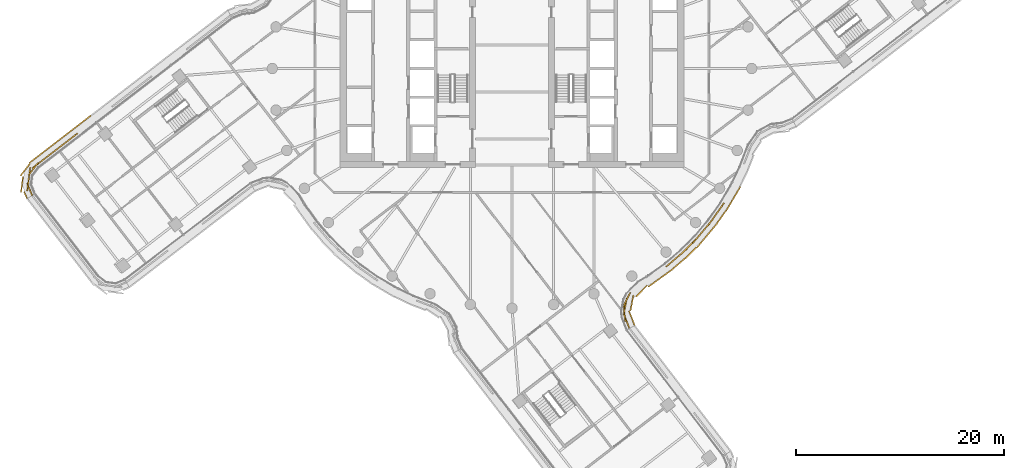
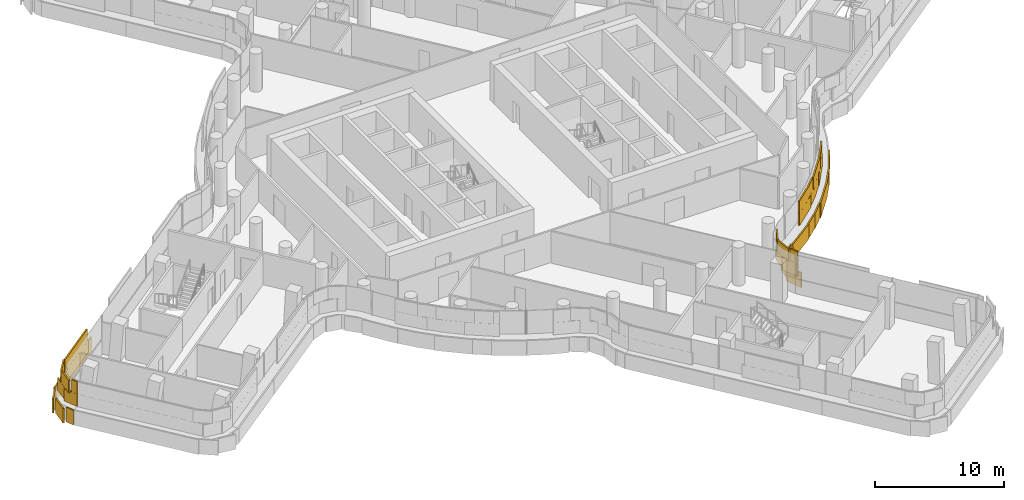
# One storey, part 28 of 33: 2 coverings.
"""IFC4 building model written with IfcOpenShell, lengths in metres."""

from ifc_helpers import new_model, si_unit, direction, frame, origin, origin_2d, place, context, subcontext, project, spatial, rectangle, extrude, material, layer, layer_set, type_object, element, save


model = new_model("IFC4")

# Units and contexts
model_context = context("Model", 3, precision=1e-05, world=origin(), true_north=direction((0.0, 1.0)))
body_context = subcontext(model_context, "Body", "Model", "MODEL_VIEW")
ifc_project = project(units=[si_unit("LENGTHUNIT", "METRE"), si_unit("AREAUNIT", "SQUARE_METRE"), si_unit("VOLUMEUNIT", "CUBIC_METRE"), si_unit("PLANEANGLEUNIT", "RADIAN"), si_unit("MASSUNIT", "GRAM", prefix="KILO")], contexts=[model_context])

# Site, building, storey
site_placement = place(None, origin())
site = spatial("IfcSite", under=ifc_project, at=site_placement, CompositionType="ELEMENT")
building_placement = place(site_placement, origin())
building = spatial("IfcBuilding", under=site, at=building_placement, Name="Tamarind Cross Interchange Tower", CompositionType="ELEMENT")
storey_placement = place(building_placement, frame((0.0, 0.0, 170.5)))
storey = spatial("IfcBuildingStorey", under=building, at=storey_placement, Name="L42", CompositionType="ELEMENT", Elevation=170.5)

# Coverings
ifc_material = material(Name="Terracotta", Category="masonry")
ifc_layer = layer(ifc_material, 0.1201171875)
ifc_layer_set = layer_set([ifc_layer], Name="Terracotta")
covering_type = type_object("IfcCoveringType", Name="Terracotta baguette screen unit", PredefinedType="MOLDING", material=ifc_layer_set)
covering_1_placement = place(storey_placement, origin())
element("IfcCovering", 1, at=covering_1_placement, inside=storey, type_object=covering_type, Name="SCR-L42-07-02", PredefinedType="MOLDING", context=body_context, shape_type="SweptSolid", body=[
    extrude(rectangle(XDim=0.958740234375, YDim=0.1201171875, at=origin_2d()), frame((-42.07421875, -6.51611328125, 1.404052734375), z_axis=(0.0, 0.0, 1.0), x_axis=(-0.792153315847, -0.610322147879, 0.0)), (0.0, 0.0, 1.0), 1.1669921875),
    extrude(rectangle(XDim=1.52001953125, YDim=0.1201171875, at=origin_2d()), frame((-43.044189453125, -7.263427734375, 1.404052734375), z_axis=(0.0, 0.0, 1.0), x_axis=(-0.792153315847, -0.610322147879, 0.0)), (0.0, 0.0, 1.0), 1.1669921875),
    extrude(rectangle(XDim=1.52001953125, YDim=0.1201171875, at=origin_2d()), frame((-44.232421875, -8.1787109375, 1.404052734375), z_axis=(0.0, 0.0, 1.0), x_axis=(-0.792153315847, -0.610322147879, 0.0)), (0.0, 0.0, 1.0), 1.1669921875),
    extrude(rectangle(XDim=1.52001953125, YDim=0.1201171875, at=origin_2d()), frame((-45.420654296875, -9.09423828125, 1.404052734375), z_axis=(0.0, 0.0, 1.0), x_axis=(-0.792153315847, -0.610322147879, 0.0)), (0.0, 0.0, 1.0), 1.1669921875),
    extrude(rectangle(XDim=1.52001953125, YDim=0.1201171875, at=origin_2d()), frame((-46.328857421875, -10.254150390625, 1.404052734375), z_axis=(0.0, 0.0, 1.0), x_axis=(-0.128574051901, -0.991699910849, 0.0)), (0.0, 0.0, 1.0), 1.1669921875),
    extrude(rectangle(XDim=1.29150390625, YDim=0.1201171875, at=origin_2d()), frame((-46.28662109375, -11.603759765625, 1.404052734375), z_axis=(0.0, 0.0, 1.0), x_axis=(0.38450156021, -0.923124341677, 0.0)), (0.0, 0.0, 1.0), 1.1669921875),
    extrude(rectangle(XDim=1.52001953125, YDim=0.1201171875, at=origin_2d()), frame((-42.449951171875, -6.8056640625, 2.5791015625), z_axis=(0.0, 0.0, 1.0), x_axis=(-0.792153315847, -0.610322147879, 0.0)), (0.0, 0.0, 1.0), 1.1669921875),
    extrude(rectangle(XDim=1.52001953125, YDim=0.1201171875, at=origin_2d()), frame((-43.63818359375, -7.72119140625, 2.5791015625), z_axis=(0.0, 0.0, 1.0), x_axis=(-0.792153315847, -0.610322147879, 0.0)), (0.0, 0.0, 1.0), 1.1669921875),
    extrude(rectangle(XDim=1.52001953125, YDim=0.1201171875, at=origin_2d()), frame((-44.826416015625, -8.636474609375, 2.5791015625), z_axis=(0.0, 0.0, 1.0), x_axis=(-0.792153315847, -0.610322147879, 0.0)), (0.0, 0.0, 1.0), 1.1669921875),
    extrude(rectangle(XDim=1.52001953125, YDim=0.1201171875, at=origin_2d()), frame((-45.932373046875, -9.634033203125, 2.5791015625), z_axis=(0.0, 0.0, 1.0), x_axis=(-0.607198350638, -0.794550289775, 0.0)), (0.0, 0.0, 1.0), 1.1669921875),
    extrude(rectangle(XDim=1.52001953125, YDim=0.1201171875, at=origin_2d()), frame((-46.42529296875, -10.998046875, 2.5791015625), z_axis=(0.0, 0.0, 1.0), x_axis=(-0.128574051901, -0.991699910849, 0.0)), (0.0, 0.0, 1.0), 1.1669921875),
    extrude(rectangle(XDim=0.54150390625, YDim=0.1201171875, at=origin_2d()), frame((-46.142578125, -11.949951171875, 2.5791015625), z_axis=(0.0, 0.0, 1.0), x_axis=(0.38450156021, -0.923124341677, 0.0)), (0.0, 0.0, 1.0), 1.1669921875),
    extrude(rectangle(XDim=1.450439453125, YDim=0.1201171875, at=origin_2d()), frame((-40.982666015625, -4.950439453125, 0.00390625), z_axis=(0.0, 0.0, 1.0), x_axis=(-0.792153315847, -0.610322147879, 0.0)), (0.0, 0.0, 1.0), 1.39208984375),
    extrude(rectangle(XDim=1.52001953125, YDim=0.1201171875, at=origin_2d()), frame((-42.143310546875, -5.8447265625, 0.00390625), z_axis=(0.0, 0.0, 1.0), x_axis=(-0.792153315847, -0.610322147879, 0.0)), (0.0, 0.0, 1.0), 1.39208984375),
    extrude(rectangle(XDim=1.52001953125, YDim=0.1201171875, at=origin_2d()), frame((-43.33154296875, -6.760009765625, 0.00390625), z_axis=(0.0, 0.0, 1.0), x_axis=(-0.792153315847, -0.610322147879, 0.0)), (0.0, 0.0, 1.0), 1.39208984375),
    extrude(rectangle(XDim=1.52001953125, YDim=0.1201171875, at=origin_2d()), frame((-44.519775390625, -7.675537109375, 0.00390625), z_axis=(0.0, 0.0, 1.0), x_axis=(-0.792153315847, -0.610322147879, 0.0)), (0.0, 0.0, 1.0), 1.39208984375),
    extrude(rectangle(XDim=1.52001953125, YDim=0.1201171875, at=origin_2d()), frame((-45.7080078125, -8.591064453125, 0.00390625), z_axis=(0.0, 0.0, 1.0), x_axis=(-0.792153315847, -0.610322147879, 0.0)), (0.0, 0.0, 1.0), 1.39208984375),
    extrude(rectangle(XDim=1.52001953125, YDim=0.1201171875, at=origin_2d()), frame((-46.703857421875, -9.697998046875, 0.00390625), z_axis=(0.0, 0.0, 1.0), x_axis=(-0.607198350638, -0.794550289775, 0.0)), (0.0, 0.0, 1.0), 1.39208984375),
    extrude(rectangle(XDim=1.52001953125, YDim=0.1201171875, at=origin_2d()), frame((-47.021728515625, -11.13427734375, 0.00390625), z_axis=(0.0, 0.0, 1.0), x_axis=(-0.128574051901, -0.991699910849, 0.0)), (0.0, 0.0, 1.0), 1.39208984375),
    extrude(rectangle(XDim=0.712890625, YDim=0.1201171875, at=origin_2d()), frame((-46.67822265625, -12.15673828125, 0.00390625), z_axis=(0.0, 0.0, 1.0), x_axis=(0.38450156021, -0.923124341677, 0.0)), (0.0, 0.0, 1.0), 1.39208984375),
])
covering_2_placement = place(storey_placement, origin())
element("IfcCovering", 2, at=covering_2_placement, inside=storey, type_object=covering_type, Name="SCR-L42-14-00", PredefinedType="MOLDING", context=body_context, shape_type="SweptSolid", body=[
    extrude(rectangle(XDim=1.510009765625, YDim=0.1201171875, at=origin_2d()), frame((10.9951171875, -24.248291015625, 1.404052734375), z_axis=(0.0, 0.0, 1.0), x_axis=(-0.366104623629, 0.930573696468, 0.0)), (0.0, 0.0, 1.0), 1.1669921875),
    extrude(rectangle(XDim=1.52001953125, YDim=0.1201171875, at=origin_2d()), frame((10.87158203125, -22.7919921875, 1.404052734375), z_axis=(0.0, 0.0, 1.0), x_axis=(0.187361824363, 0.982290968487, 0.0)), (0.0, 0.0, 1.0), 1.1669921875),
    extrude(rectangle(XDim=0.6689453125, YDim=0.1201171875, at=origin_2d()), frame((11.21142578125, -21.778564453125, 1.404052734375), z_axis=(0.0, 0.0, 1.0), x_axis=(0.45299626319, 0.891512414684, 0.0)), (0.0, 0.0, 1.0), 1.1669921875),
    extrude(rectangle(XDim=1.151123046875, YDim=0.1201171875, at=origin_2d()), frame((15.213623046875, -18.654541015625, 1.404052734375), z_axis=(0.0, 0.0, 1.0), x_axis=(0.760295606781, 0.64957723968, 0.0)), (0.0, 0.0, 1.0), 1.1669921875),
    extrude(rectangle(XDim=1.52001953125, YDim=0.1201171875, at=origin_2d()), frame((16.2177734375, -17.796875, 1.404052734375), z_axis=(0.0, 0.0, 1.0), x_axis=(0.760295606781, 0.64957723968, 0.0)), (0.0, 0.0, 1.0), 1.1669921875),
    extrude(rectangle(XDim=1.52001953125, YDim=0.1201171875, at=origin_2d()), frame((17.286376953125, -16.7451171875, 1.404052734375), z_axis=(0.0, 0.0, 1.0), x_axis=(0.704057148523, 0.710143317658, 0.0)), (0.0, 0.0, 1.0), 1.1669921875),
    extrude(rectangle(XDim=1.52001953125, YDim=0.1201171875, at=origin_2d()), frame((18.294677734375, -15.636474609375, 1.404052734375), z_axis=(0.0, 0.0, 1.0), x_axis=(0.643009266048, 0.765858396687, 0.0)), (0.0, 0.0, 1.0), 1.1669921875),
    extrude(rectangle(XDim=1.52001953125, YDim=0.1201171875, at=origin_2d()), frame((19.239990234375, -14.47265625, 1.404052734375), z_axis=(0.0, 0.0, 1.0), x_axis=(0.577568978284, 0.816341886298, 0.0)), (0.0, 0.0, 1.0), 1.1669921875),
    extrude(rectangle(XDim=1.198486328125, YDim=0.1201171875, at=origin_2d()), frame((20.016357421875, -13.37548828125, 1.404052734375), z_axis=(0.0, 0.0, 1.0), x_axis=(0.577568978284, 0.816341886298, 0.0)), (0.0, 0.0, 1.0), 1.1669921875),
    extrude(rectangle(XDim=0.760009765625, YDim=0.1201171875, at=origin_2d()), frame((11.13232421875, -24.59716796875, 2.5791015625), z_axis=(0.0, 0.0, 1.0), x_axis=(-0.366104623629, 0.930573696468, 0.0)), (0.0, 0.0, 1.0), 1.1669921875),
    extrude(rectangle(XDim=1.52001953125, YDim=0.1201171875, at=origin_2d()), frame((10.797607421875, -23.531982421875, 2.5791015625), z_axis=(0.0, 0.0, 1.0), x_axis=(-0.093037176066, 0.99566263557, 0.0)), (0.0, 0.0, 1.0), 1.1669921875),
    extrude(rectangle(XDim=1.4189453125, YDim=0.1201171875, at=origin_2d()), frame((11.04150390625, -22.113037109375, 2.5791015625), z_axis=(0.0, 0.0, 1.0), x_axis=(0.45299626319, 0.891512414684, 0.0)), (0.0, 0.0, 1.0), 1.1669921875),
    extrude(rectangle(XDim=0.401123046875, YDim=0.1201171875, at=origin_2d()), frame((14.928466796875, -18.898193359375, 2.5791015625), z_axis=(0.0, 0.0, 1.0), x_axis=(0.760295606781, 0.64957723968, 0.0)), (0.0, 0.0, 1.0), 1.1669921875),
    extrude(rectangle(XDim=1.52001953125, YDim=0.1201171875, at=origin_2d()), frame((15.6474609375, -18.283935546875, 2.5791015625), z_axis=(0.0, 0.0, 1.0), x_axis=(0.760295606781, 0.64957723968, 0.0)), (0.0, 0.0, 1.0), 1.1669921875),
    extrude(rectangle(XDim=1.52001953125, YDim=0.1201171875, at=origin_2d()), frame((16.75830078125, -17.27783203125, 2.5791015625), z_axis=(0.0, 0.0, 1.0), x_axis=(0.704057148523, 0.710143317658, 0.0)), (0.0, 0.0, 1.0), 1.1669921875),
    extrude(rectangle(XDim=1.52001953125, YDim=0.1201171875, at=origin_2d()), frame((17.8125, -16.210693359375, 2.5791015625), z_axis=(0.0, 0.0, 1.0), x_axis=(0.643009266048, 0.765858396687, 0.0)), (0.0, 0.0, 1.0), 1.1669921875),
    extrude(rectangle(XDim=1.52001953125, YDim=0.1201171875, at=origin_2d()), frame((18.77685546875, -15.06201171875, 2.5791015625), z_axis=(0.0, 0.0, 1.0), x_axis=(0.643009266048, 0.765858396687, 0.0)), (0.0, 0.0, 1.0), 1.1669921875),
    extrude(rectangle(XDim=1.52001953125, YDim=0.1201171875, at=origin_2d()), frame((19.673095703125, -13.860595703125, 2.5791015625), z_axis=(0.0, 0.0, 1.0), x_axis=(0.577568978284, 0.816341886298, 0.0)), (0.0, 0.0, 1.0), 1.1669921875),
    extrude(rectangle(XDim=0.448486328125, YDim=0.1201171875, at=origin_2d()), frame((20.2314453125, -13.068359375, 2.5791015625), z_axis=(0.0, 0.0, 1.0), x_axis=(0.508183308752, 0.861248933065, 0.0)), (0.0, 0.0, 1.0), 1.1669921875),
    extrude(rectangle(XDim=1.510009765625, YDim=0.1201171875, at=origin_2d()), frame((11.497802734375, -23.95849609375, 0.00390625), z_axis=(0.0, 0.0, 1.0), x_axis=(-0.366104623629, 0.930573696468, 0.0)), (0.0, 0.0, 1.0), 1.39208984375),
    extrude(rectangle(XDim=1.52001953125, YDim=0.1201171875, at=origin_2d()), frame((11.511474609375, -22.500732421875, 0.00390625), z_axis=(0.0, 0.0, 1.0), x_axis=(0.187361824363, 0.982290968487, 0.0)), (0.0, 0.0, 1.0), 1.39208984375),
    extrude(rectangle(XDim=1.52001953125, YDim=0.1201171875, at=origin_2d()), frame((12.439208984375, -21.349365234375, 0.00390625), z_axis=(0.0, 0.0, 1.0), x_axis=(0.70154614738, 0.712624026466, 0.0)), (0.0, 0.0, 1.0), 1.39208984375),
    extrude(rectangle(XDim=1.52001953125, YDim=0.1201171875, at=origin_2d()), frame((13.67724609375, -20.51416015625, 0.00390625), z_axis=(0.0, 0.0, 1.0), x_axis=(0.811340475102, 0.584573890505, 0.0)), (0.0, 0.0, 1.0), 1.39208984375),
    extrude(rectangle(XDim=1.52001953125, YDim=0.1201171875, at=origin_2d()), frame((14.894287109375, -19.637451171875, 0.00390625), z_axis=(0.0, 0.0, 1.0), x_axis=(0.811340475102, 0.584573890505, 0.0)), (0.0, 0.0, 1.0), 1.39208984375),
    extrude(rectangle(XDim=1.52001953125, YDim=0.1201171875, at=origin_2d()), frame((16.055908203125, -18.68994140625, 0.00390625), z_axis=(0.0, 0.0, 1.0), x_axis=(0.760295606781, 0.64957723968, 0.0)), (0.0, 0.0, 1.0), 1.39208984375),
    extrude(rectangle(XDim=1.52001953125, YDim=0.1201171875, at=origin_2d()), frame((17.16552734375, -17.682373046875, 0.00390625), z_axis=(0.0, 0.0, 1.0), x_axis=(0.704057148523, 0.710143317658, 0.0)), (0.0, 0.0, 1.0), 1.39208984375),
    extrude(rectangle(XDim=1.52001953125, YDim=0.1201171875, at=origin_2d()), frame((18.22119140625, -16.61669921875, 0.00390625), z_axis=(0.0, 0.0, 1.0), x_axis=(0.643009266048, 0.765858396687, 0.0)), (0.0, 0.0, 1.0), 1.39208984375),
    extrude(rectangle(XDim=1.52001953125, YDim=0.1201171875, at=origin_2d()), frame((19.185546875, -15.4677734375, 0.00390625), z_axis=(0.0, 0.0, 1.0), x_axis=(0.643009266048, 0.765858396687, 0.0)), (0.0, 0.0, 1.0), 1.39208984375),
    extrude(rectangle(XDim=1.52001953125, YDim=0.1201171875, at=origin_2d()), frame((20.086669921875, -14.27001953125, 0.00390625), z_axis=(0.0, 0.0, 1.0), x_axis=(0.577568978284, 0.816341886298, 0.0)), (0.0, 0.0, 1.0), 1.39208984375),
    extrude(rectangle(XDim=1.52001953125, YDim=0.1201171875, at=origin_2d()), frame((20.9228515625, -13.026123046875, 0.00390625), z_axis=(0.0, 0.0, 1.0), x_axis=(0.508183308752, 0.861248933065, 0.0)), (0.0, 0.0, 1.0), 1.39208984375),
    extrude(rectangle(XDim=1.223388671875, YDim=0.1201171875, at=origin_2d()), frame((21.60986328125, -11.86181640625, 0.00390625), z_axis=(0.0, 0.0, 1.0), x_axis=(0.508183308752, 0.861248933065, 0.0)), (0.0, 0.0, 1.0), 1.39208984375),
])

save(model, "model.ifc")
